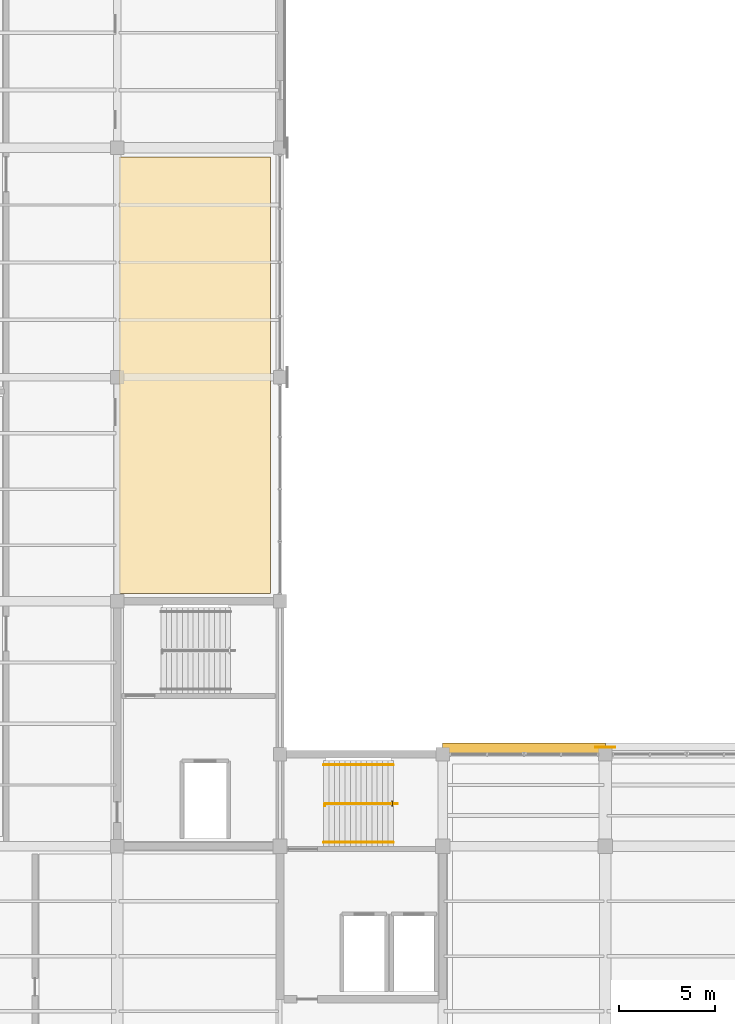
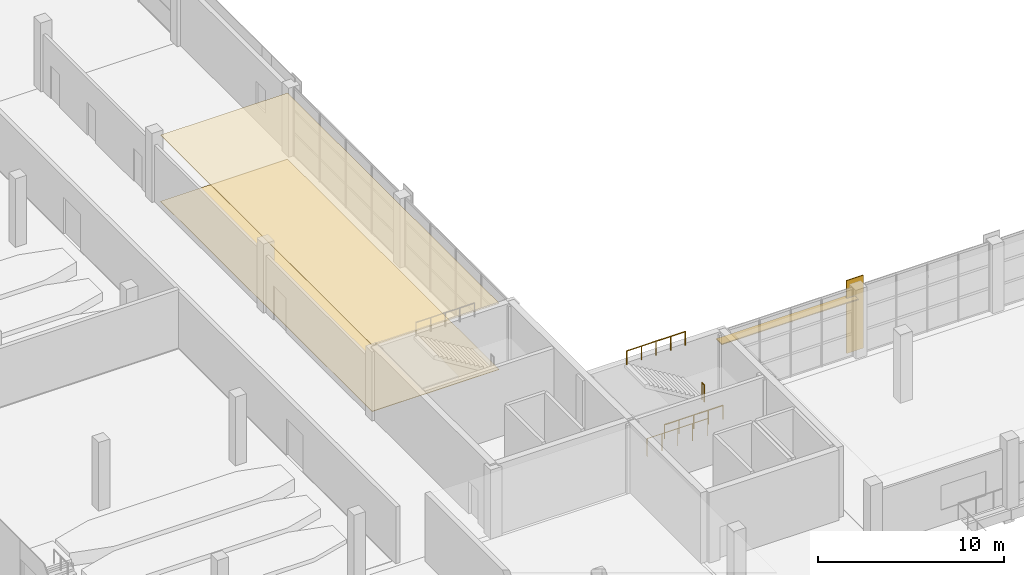
# One storey, part 102 of 112: 4 railings, 3 coverings, 1 shading device.
"""IFC4 building model written with IfcOpenShell, lengths in metres."""

from ifc_helpers import new_model, si_unit, direction, frame, origin, origin_2d, place, context, subcontext, project, spatial, polyline, rectangle, hollow_rectangle, circle, outline, extrude, material, layer, layer_set, material_profile, profile_set, type_object, element, save


model = new_model("IFC4")

# Units and contexts
model_context = context("Model", 3, precision=1e-05, world=origin(), true_north=direction((0.0, 1.0)))
body_context = subcontext(model_context, "Body", "Model", "MODEL_VIEW")
ifc_project = project(units=[si_unit("LENGTHUNIT", "METRE"), si_unit("AREAUNIT", "SQUARE_METRE"), si_unit("VOLUMEUNIT", "CUBIC_METRE"), si_unit("PLANEANGLEUNIT", "RADIAN"), si_unit("MASSUNIT", "GRAM", prefix="KILO")], contexts=[model_context])

# Site, building, storey
site_placement = place(None, origin())
site = spatial("IfcSite", under=ifc_project, at=site_placement, CompositionType="ELEMENT")
building_placement = place(site_placement, origin())
building = spatial("IfcBuilding", under=site, at=building_placement, Name="Solvikara Media Centre", CompositionType="ELEMENT")
storey_placement = place(building_placement, frame((0.0, 0.0, 5.39990234375)))
storey = spatial("IfcBuildingStorey", under=building, at=storey_placement, Name="L01", CompositionType="ELEMENT", Elevation=5.39990234375)

# Coverings
ifc_material_1 = material(Name="Perforated acoustic gypsum ceiling board")
ifc_layer_1 = layer(ifc_material_1, 0.0400390625)
ifc_layer_set_1 = layer_set([ifc_layer_1], Name="Perforated acoustic gypsum ceiling board")
covering_type_1 = type_object("IfcCoveringType", Name="CV-01", PredefinedType="CEILING", material=ifc_layer_set_1)
covering_1_placement = place(storey_placement, frame((0.0, 0.0, 4.35009765625)))
element("IfcCovering", 1, at=covering_1_placement, inside=storey, type_object=covering_type_1, Name="CLG-019", PredefinedType="CEILING", context=body_context, shape_type="SweptSolid", body=[
    extrude(outline(polyline([(25.60009765625, 45.199951171875), (33.5, 45.199951171875), (33.5, 68.0), (25.60009765625, 68.0), (25.60009765625, 45.199951171875)])), origin(), (0.0, 0.0, 1.0), 0.0400390625),
])
ifc_material_2 = material(Name="Polished terrazzo floor finish")
ifc_layer_2 = layer(ifc_material_2, 0.030029296875)
ifc_layer_set_2 = layer_set([ifc_layer_2], Name="Polished terrazzo floor finish")
covering_type_2 = type_object("IfcCoveringType", Name="CV-02", PredefinedType="FLOORING", material=ifc_layer_set_2)
covering_2_placement = place(storey_placement, origin())
element("IfcCovering", 2, at=covering_2_placement, inside=storey, type_object=covering_type_2, Name="FLR-019", PredefinedType="FLOORING", context=body_context, shape_type="SweptSolid", body=[
    extrude(outline(polyline([(25.60009765625, 45.199951171875), (33.5, 45.199951171875), (33.5, 68.0), (25.60009765625, 68.0), (25.60009765625, 45.199951171875)])), origin(), (0.0, 0.0, 1.0), 0.030029296875),
])
ifc_material_3 = material(Name="GFRC white mineral architectural rainscreen panel")
ifc_layer_3 = layer(ifc_material_3, 0.050048828125)
ifc_layer_set_3 = layer_set([ifc_layer_3], Name="GFRC white mineral architectural rainscreen panel")
covering_type_3 = type_object("IfcCoveringType", Name="CV-04", PredefinedType="CLADDING", material=ifc_layer_set_3)
covering_3_placement = place(storey_placement, frame((51.0, 37.175048828125, 0.0), z_axis=(0.0, 0.0, 1.0), x_axis=(-1.0, 0.0, 0.0)))
element("IfcCovering", 3, at=covering_3_placement, inside=storey, type_object=covering_type_3, Name="PIL-L01-124", PredefinedType="CLADDING", context=body_context, shape_type="SweptSolid", body=[
    extrude(rectangle(XDim=1.0400390625, YDim=0.050048828125, at=origin_2d()), origin(), (0.0, 0.0, 1.0), 4.800048828125),
])

# Railings
ifc_material_4 = material(Name="Steel S355JR", Category="steel")
railing_type_1 = type_object("IfcRailingType", Name="GR-01", PredefinedType="GUARDRAIL", material=ifc_material_4)
railing_1_placement = place(storey_placement, frame((36.340087890625, 34.10009765625, 0.0)))
element("IfcRailing", 4, at=railing_1_placement, inside=storey, type_object=railing_type_1, Name="GR-C2-L00-W", PredefinedType="GUARDRAIL", context=body_context, shape_type="SweptSolid", body=[
    extrude(circle(Radius=0.02392578125, at=origin_2d()), frame((0.0, 0.0, 1.1259765625), z_axis=(0.0, 1.0, 0.0), x_axis=(-1.0, 0.0, 0.0)), (0.0, 0.0, 1.0), 0.119873046875),
    extrude(circle(Radius=0.02392578125, at=origin_2d()), frame((0.0, 0.119873046875, 1.1259765625), z_axis=(1.0, 0.0, 0.0), x_axis=(0.0, 1.0, 0.0)), (0.0, 0.0, 1.0), 3.7998046875),
    extrude(circle(Radius=0.02099609375, at=origin_2d()), origin(), (0.0, 0.0, 1.0), 1.101806640625),
    extrude(circle(Radius=0.02099609375, at=origin_2d()), frame((0.0, 0.119873046875, 0.0)), (0.0, 0.0, 1.0), 1.101806640625),
    extrude(circle(Radius=0.02099609375, at=origin_2d()), frame((0.949951171875, 0.119873046875, 0.0)), (0.0, 0.0, 1.0), 1.101806640625),
    extrude(circle(Radius=0.02099609375, at=origin_2d()), frame((1.89990234375, 0.119873046875, 0.0)), (0.0, 0.0, 1.0), 1.101806640625),
    extrude(circle(Radius=0.02099609375, at=origin_2d()), frame((2.849853515625, 0.119873046875, 0.0)), (0.0, 0.0, 1.0), 1.101806640625),
    extrude(circle(Radius=0.02099609375, at=origin_2d()), frame((3.7998046875, 0.119873046875, 0.0)), (0.0, 0.0, 1.0), 1.101806640625),
])
railing_type_2 = type_object("IfcRailingType", Name="GR-02", PredefinedType="BALUSTRADE", material=ifc_material_4)
railing_2_placement = place(storey_placement, frame((39.860107421875, 34.10009765625, 2.400146484375)))
element("IfcRailing", 5, at=railing_2_placement, inside=storey, type_object=railing_type_2, Name="GR-C2-L01-M", PredefinedType="BALUSTRADE", context=body_context, shape_type="SweptSolid", body=[
    extrude(circle(Radius=0.02392578125, at=origin_2d()), frame((0.0, 0.0, 1.09619140625), z_axis=(0.0, 1.0, 0.0), x_axis=(-1.0, 0.0, 0.0)), (0.0, 0.0, 1.0), 0.25),
    extrude(circle(Radius=0.02099609375, at=origin_2d()), origin(), (0.0, 0.0, 1.0), 1.072021484375),
    extrude(circle(Radius=0.02099609375, at=origin_2d()), frame((0.0, 0.25, 0.0)), (0.0, 0.0, 1.0), 1.072021484375),
])
railing_type_3 = type_object("IfcRailingType", Name="HR-01", PredefinedType="HANDRAIL", material=ifc_material_4)
railing_3_placement = place(storey_placement, frame((36.280029296875, 32.199951171875, 2.400146484375)))
element("IfcRailing", 6, at=railing_3_placement, inside=storey, type_object=railing_type_3, Name="HR-C2-L01-1", PredefinedType="HANDRAIL", context=body_context, shape_type="SweptSolid", body=[
    extrude(circle(Radius=0.02392578125, at=origin_2d()), frame((0.0, 0.0, 0.89599609375), z_axis=(1.0, 0.0, 0.0), x_axis=(0.0, 1.0, 0.0)), (0.0, 0.0, 1.0), 3.639892578125),
    extrude(circle(Radius=0.02099609375, at=origin_2d()), origin(), (0.0, 0.0, 1.0), 0.871826171875),
    extrude(circle(Radius=0.02099609375, at=origin_2d()), frame((0.909912109375, 0.0, 0.0)), (0.0, 0.0, 1.0), 0.871826171875),
    extrude(circle(Radius=0.02099609375, at=origin_2d()), frame((1.81982421875, 0.0, 0.0)), (0.0, 0.0, 1.0), 0.871826171875),
    extrude(circle(Radius=0.02099609375, at=origin_2d()), frame((2.72998046875, 0.0, 0.0)), (0.0, 0.0, 1.0), 0.871826171875),
    extrude(circle(Radius=0.02099609375, at=origin_2d()), frame((3.639892578125, 0.0, 0.0)), (0.0, 0.0, 1.0), 0.871826171875),
])
railing_4_placement = place(storey_placement, frame((39.919921875, 36.25, 4.800048828125)))
element("IfcRailing", 7, at=railing_4_placement, inside=storey, type_object=railing_type_3, Name="HR-C2-L01-2", PredefinedType="HANDRAIL", context=body_context, shape_type="SweptSolid", body=[
    extrude(circle(Radius=0.02392578125, at=origin_2d()), frame((0.0, 0.0, 0.89599609375), z_axis=(-1.0, 0.0, 0.0), x_axis=(0.0, -1.0, 0.0)), (0.0, 0.0, 1.0), 3.639892578125),
    extrude(circle(Radius=0.02099609375, at=origin_2d()), origin(), (0.0, 0.0, 1.0), 0.871826171875),
    extrude(circle(Radius=0.02099609375, at=origin_2d()), frame((-0.909912109375, 0.0, 0.0)), (0.0, 0.0, 1.0), 0.871826171875),
    extrude(circle(Radius=0.02099609375, at=origin_2d()), frame((-1.81982421875, 0.0, 0.0)), (0.0, 0.0, 1.0), 0.871826171875),
    extrude(circle(Radius=0.02099609375, at=origin_2d()), frame((-2.72998046875, 0.0, 0.0)), (0.0, 0.0, 1.0), 0.871826171875),
    extrude(circle(Radius=0.02099609375, at=origin_2d()), frame((-3.639892578125, 0.0, 0.0)), (0.0, 0.0, 1.0), 0.871826171875),
])

# Shading device
ifc_material_5 = material(Name="Anodised aluminium EN AW-6063", Category="aluminium")
ifc_material_profile = material_profile(ifc_material_5, hollow_rectangle(XDim=0.60009765625, YDim=0.06005859375, WallThickness=0.00341796875, at=origin_2d()), Name="ALU-LOUVRE 60x600x3.5")
ifc_profile_set = profile_set([ifc_material_profile], Name="Anodised aluminium EN AW-6063")
shading_device_type = type_object("IfcShadingDeviceType", Name="SH-02", PredefinedType="JALOUSIE", material=ifc_profile_set)
shading_device_placement = place(storey_placement, frame((42.5, 37.10009765625, 3.60009765625), z_axis=(1.0, 0.0, 0.0), x_axis=(0.0, 1.0, 0.0)))
element("IfcShadingDevice", 8, at=shading_device_placement, inside=storey, type_object=shading_device_type, Name="LVR-L01-004", PredefinedType="JALOUSIE", context=body_context, shape_type="SweptSolid", body=[
    extrude(hollow_rectangle(XDim=0.60009765625, YDim=0.06005859375, WallThickness=0.00341796875, at=origin_2d()), origin(), (0.0, 0.0, 1.0), 8.5),
])

save(model, "model.ifc")
